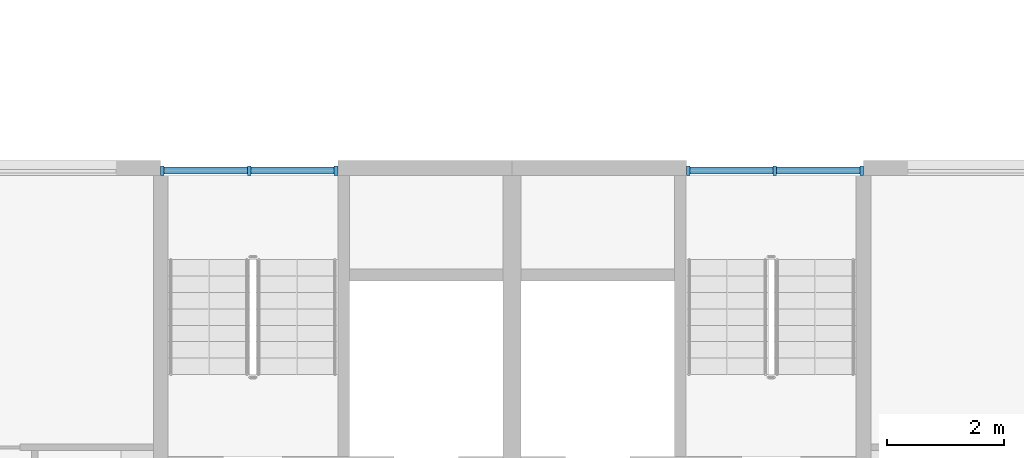
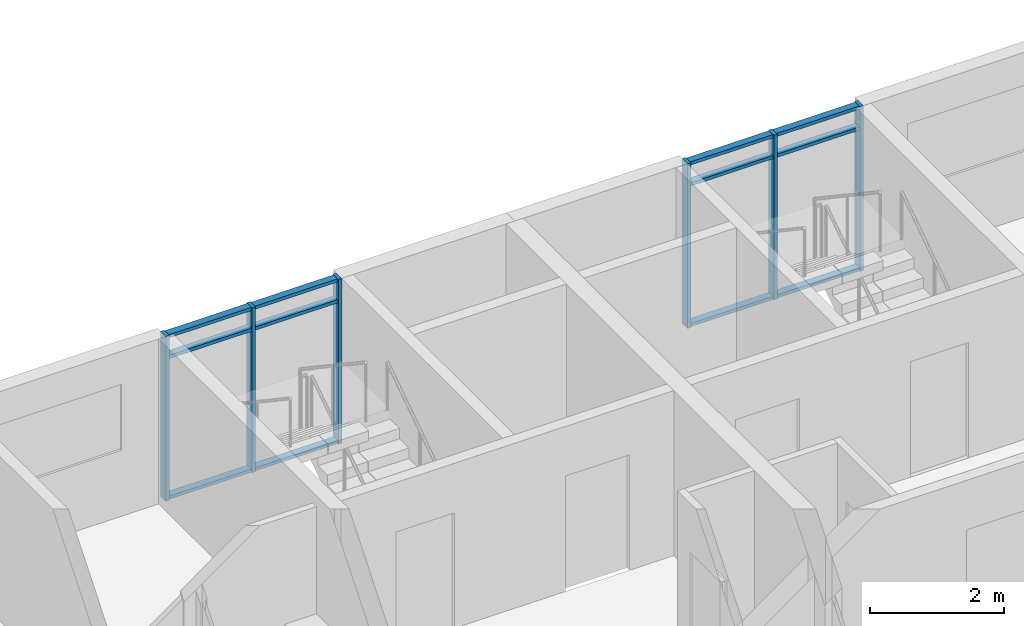
# One storey, part 14 of 94: 18 members, 2 elements without a shape of their own.
"""IFC4 building model written with IfcOpenShell, lengths in metres."""

from ifc_helpers import new_model, si_unit, direction, frame, origin, origin_2d, place, context, subcontext, project, spatial, rectangle, extrude, material, material_profile, profile_set, type_object, element, aggregate, save


model = new_model("IFC4")

# Units and contexts
model_context = context("Model", 3, precision=1e-05, world=origin(), true_north=direction((0.0, 1.0)))
body_context = subcontext(model_context, "Body", "Model", "MODEL_VIEW")
ifc_project = project(units=[si_unit("LENGTHUNIT", "METRE"), si_unit("AREAUNIT", "SQUARE_METRE"), si_unit("VOLUMEUNIT", "CUBIC_METRE"), si_unit("PLANEANGLEUNIT", "RADIAN"), si_unit("MASSUNIT", "GRAM", prefix="KILO")], contexts=[model_context])

# Site, building, storey
site_placement = place(None, origin())
site = spatial("IfcSite", under=ifc_project, at=site_placement, CompositionType="ELEMENT")
building_placement = place(site_placement, origin())
building = spatial("IfcBuilding", under=site, at=building_placement, Name="Ridgestep Commons", CompositionType="ELEMENT")
storey_placement = place(building_placement, frame((0.0, 0.0, 24.0)))
storey = spatial("IfcBuildingStorey", under=building, at=storey_placement, Name="L08", CompositionType="ELEMENT", Elevation=24.0)

# Curtain wall, members
ifc_material_1 = material(Name="Aluminium 6063-T6 and glass", Category="aluminium")
curtain_wall_type = type_object("IfcCurtainWallType", Name="Curtain wall stair strip", PredefinedType="NOTDEFINED", material=ifc_material_1)
curtain_wall_1_placement = place(storey_placement, origin())
curtain_wall_1 = element("IfcCurtainWall", 1, at=curtain_wall_1_placement, inside=storey, type_object=curtain_wall_type, Name="Curtain wall B4C level 08", PredefinedType="NOTDEFINED")
ifc_material_2 = material(Name="Aluminium 6063-T6", Category="aluminium")
ifc_material_profile_1 = material_profile(ifc_material_2, rectangle(XDim=0.159912109375, YDim=0.06005859375, at=origin_2d()), Name="Mullion 60 x 160")
ifc_profile_set_1 = profile_set([ifc_material_profile_1], Name="Aluminium 6063-T6")
member_type_1 = type_object("IfcMemberType", Name="Mullion 60 x 160", PredefinedType="MULLION", material=ifc_profile_set_1)
member_1_placement = place(storey_placement, frame((73.22998046875, 77.080078125, 0.0), z_axis=(0.0, 0.0, 1.0), x_axis=(0.0, 1.0, 0.0)))
member_1 = element("IfcMember", 2, at=member_1_placement, type_object=member_type_1, Name="CW1 mullion 1", PredefinedType="MULLION", context=body_context, shape_type="SweptSolid", body=[
    extrude(rectangle(XDim=0.159912109375, YDim=0.06005859375, at=origin_2d()), origin(), (0.0, 0.0, 1.0), 3.0),
])
member_2_placement = place(storey_placement, frame((74.71240234375, 77.080078125, 0.0), z_axis=(0.0, 0.0, 1.0), x_axis=(0.0, 1.0, 0.0)))
member_2 = element("IfcMember", 3, at=member_2_placement, type_object=member_type_1, Name="CW1 mullion 2", PredefinedType="MULLION", context=body_context, shape_type="SweptSolid", body=[
    extrude(rectangle(XDim=0.159912109375, YDim=0.06005859375, at=origin_2d()), origin(), (0.0, 0.0, 1.0), 3.0),
])
member_3_placement = place(storey_placement, frame((76.195068359375, 77.080078125, 0.0), z_axis=(0.0, 0.0, 1.0), x_axis=(0.0, 1.0, 0.0)))
member_3 = element("IfcMember", 4, at=member_3_placement, type_object=member_type_1, Name="CW1 mullion 3", PredefinedType="MULLION", context=body_context, shape_type="SweptSolid", body=[
    extrude(rectangle(XDim=0.159912109375, YDim=0.06005859375, at=origin_2d()), origin(), (0.0, 0.0, 1.0), 3.0),
])

curtain_wall_2_placement = place(storey_placement, origin())
curtain_wall_2 = element("IfcCurtainWall", 5, at=curtain_wall_2_placement, inside=storey, type_object=curtain_wall_type, Name="Curtain wall B5C level 08", PredefinedType="NOTDEFINED")
member_4_placement = place(storey_placement, frame((82.205078125, 77.080078125, 0.0), z_axis=(0.0, 0.0, 1.0), x_axis=(0.0, 1.0, 0.0)))
member_4 = element("IfcMember", 6, at=member_4_placement, type_object=member_type_1, Name="CW1 mullion 1", PredefinedType="MULLION", context=body_context, shape_type="SweptSolid", body=[
    extrude(rectangle(XDim=0.159912109375, YDim=0.06005859375, at=origin_2d()), origin(), (0.0, 0.0, 1.0), 3.0),
])
member_5_placement = place(storey_placement, frame((83.6875, 77.080078125, 0.0), z_axis=(0.0, 0.0, 1.0), x_axis=(0.0, 1.0, 0.0)))
member_5 = element("IfcMember", 7, at=member_5_placement, type_object=member_type_1, Name="CW1 mullion 2", PredefinedType="MULLION", context=body_context, shape_type="SweptSolid", body=[
    extrude(rectangle(XDim=0.159912109375, YDim=0.06005859375, at=origin_2d()), origin(), (0.0, 0.0, 1.0), 3.0),
])
member_6_placement = place(storey_placement, frame((85.169921875, 77.080078125, 0.0), z_axis=(0.0, 0.0, 1.0), x_axis=(0.0, 1.0, 0.0)))
member_6 = element("IfcMember", 8, at=member_6_placement, type_object=member_type_1, Name="CW1 mullion 3", PredefinedType="MULLION", context=body_context, shape_type="SweptSolid", body=[
    extrude(rectangle(XDim=0.159912109375, YDim=0.06005859375, at=origin_2d()), origin(), (0.0, 0.0, 1.0), 3.0),
])

# Member
ifc_material_3 = material(Name="Aluminium 6063-T6", Category="aluminium")
ifc_material_profile_2 = material_profile(ifc_material_3, rectangle(XDim=0.1201171875, YDim=0.06005859375, at=origin_2d()), Name="Transom 60 x 120")
ifc_profile_set_2 = profile_set([ifc_material_profile_2], Name="Aluminium 6063-T6")
member_type_2 = type_object("IfcMemberType", Name="Transom 60 x 120", PredefinedType="USERDEFINED", material=ifc_profile_set_2)
member_7_placement = place(storey_placement, frame((73.260009765625, 77.080078125, 0.030029296875), z_axis=(1.0, 0.0, 0.0), x_axis=(0.0, 1.0, 0.0)))
member_7 = element("IfcMember", 9, at=member_7_placement, type_object=member_type_2, Name="CW1 transom 1.1", ObjectType="TRANSOM", PredefinedType="USERDEFINED", context=body_context, shape_type="SweptSolid", body=[
    extrude(rectangle(XDim=0.1201171875, YDim=0.06005859375, at=origin_2d()), origin(), (0.0, 0.0, 1.0), 1.422607421875),
])

member_8_placement = place(storey_placement, frame((73.260009765625, 77.080078125, 2.590087890625), z_axis=(1.0, 0.0, 0.0), x_axis=(0.0, 1.0, 0.0)))
member_8 = element("IfcMember", 10, at=member_8_placement, type_object=member_type_2, Name="CW1 transom 1.2", ObjectType="TRANSOM", PredefinedType="USERDEFINED", context=body_context, shape_type="SweptSolid", body=[
    extrude(rectangle(XDim=0.1201171875, YDim=0.06005859375, at=origin_2d()), origin(), (0.0, 0.0, 1.0), 1.422607421875),
])

member_9_placement = place(storey_placement, frame((73.260009765625, 77.080078125, 2.969970703125), z_axis=(1.0, 0.0, 0.0), x_axis=(0.0, 1.0, 0.0)))
member_9 = element("IfcMember", 11, at=member_9_placement, type_object=member_type_2, Name="CW1 transom 1.3", ObjectType="TRANSOM", PredefinedType="USERDEFINED", context=body_context, shape_type="SweptSolid", body=[
    extrude(rectangle(XDim=0.1201171875, YDim=0.06005859375, at=origin_2d()), origin(), (0.0, 0.0, 1.0), 1.422607421875),
])

member_10_placement = place(storey_placement, frame((74.742431640625, 77.080078125, 0.030029296875), z_axis=(1.0, 0.0, 0.0), x_axis=(0.0, 1.0, 0.0)))
member_10 = element("IfcMember", 12, at=member_10_placement, type_object=member_type_2, Name="CW1 transom 2.1", ObjectType="TRANSOM", PredefinedType="USERDEFINED", context=body_context, shape_type="SweptSolid", body=[
    extrude(rectangle(XDim=0.1201171875, YDim=0.06005859375, at=origin_2d()), origin(), (0.0, 0.0, 1.0), 1.422607421875),
])

member_11_placement = place(storey_placement, frame((74.742431640625, 77.080078125, 2.590087890625), z_axis=(1.0, 0.0, 0.0), x_axis=(0.0, 1.0, 0.0)))
member_11 = element("IfcMember", 13, at=member_11_placement, type_object=member_type_2, Name="CW1 transom 2.2", ObjectType="TRANSOM", PredefinedType="USERDEFINED", context=body_context, shape_type="SweptSolid", body=[
    extrude(rectangle(XDim=0.1201171875, YDim=0.06005859375, at=origin_2d()), origin(), (0.0, 0.0, 1.0), 1.422607421875),
])

member_12_placement = place(storey_placement, frame((74.742431640625, 77.080078125, 2.969970703125), z_axis=(1.0, 0.0, 0.0), x_axis=(0.0, 1.0, 0.0)))
member_12 = element("IfcMember", 14, at=member_12_placement, type_object=member_type_2, Name="CW1 transom 2.3", ObjectType="TRANSOM", PredefinedType="USERDEFINED", context=body_context, shape_type="SweptSolid", body=[
    extrude(rectangle(XDim=0.1201171875, YDim=0.06005859375, at=origin_2d()), origin(), (0.0, 0.0, 1.0), 1.422607421875),
])

aggregate(curtain_wall_1, [member_1, member_2, member_3, member_7, member_8, member_9, member_10, member_11, member_12])

member_13_placement = place(storey_placement, frame((82.235107421875, 77.080078125, 0.030029296875), z_axis=(1.0, 0.0, 0.0), x_axis=(0.0, 1.0, 0.0)))
member_13 = element("IfcMember", 15, at=member_13_placement, type_object=member_type_2, Name="CW1 transom 1.1", ObjectType="TRANSOM", PredefinedType="USERDEFINED", context=body_context, shape_type="SweptSolid", body=[
    extrude(rectangle(XDim=0.1201171875, YDim=0.06005859375, at=origin_2d()), origin(), (0.0, 0.0, 1.0), 1.42236328125),
])

member_14_placement = place(storey_placement, frame((82.235107421875, 77.080078125, 2.590087890625), z_axis=(1.0, 0.0, 0.0), x_axis=(0.0, 1.0, 0.0)))
member_14 = element("IfcMember", 16, at=member_14_placement, type_object=member_type_2, Name="CW1 transom 1.2", ObjectType="TRANSOM", PredefinedType="USERDEFINED", context=body_context, shape_type="SweptSolid", body=[
    extrude(rectangle(XDim=0.1201171875, YDim=0.06005859375, at=origin_2d()), origin(), (0.0, 0.0, 1.0), 1.42236328125),
])

member_15_placement = place(storey_placement, frame((82.235107421875, 77.080078125, 2.969970703125), z_axis=(1.0, 0.0, 0.0), x_axis=(0.0, 1.0, 0.0)))
member_15 = element("IfcMember", 17, at=member_15_placement, type_object=member_type_2, Name="CW1 transom 1.3", ObjectType="TRANSOM", PredefinedType="USERDEFINED", context=body_context, shape_type="SweptSolid", body=[
    extrude(rectangle(XDim=0.1201171875, YDim=0.06005859375, at=origin_2d()), origin(), (0.0, 0.0, 1.0), 1.42236328125),
])

member_16_placement = place(storey_placement, frame((83.717529296875, 77.080078125, 0.030029296875), z_axis=(1.0, 0.0, 0.0), x_axis=(0.0, 1.0, 0.0)))
member_16 = element("IfcMember", 18, at=member_16_placement, type_object=member_type_2, Name="CW1 transom 2.1", ObjectType="TRANSOM", PredefinedType="USERDEFINED", context=body_context, shape_type="SweptSolid", body=[
    extrude(rectangle(XDim=0.1201171875, YDim=0.06005859375, at=origin_2d()), origin(), (0.0, 0.0, 1.0), 1.42236328125),
])

member_17_placement = place(storey_placement, frame((83.717529296875, 77.080078125, 2.590087890625), z_axis=(1.0, 0.0, 0.0), x_axis=(0.0, 1.0, 0.0)))
member_17 = element("IfcMember", 19, at=member_17_placement, type_object=member_type_2, Name="CW1 transom 2.2", ObjectType="TRANSOM", PredefinedType="USERDEFINED", context=body_context, shape_type="SweptSolid", body=[
    extrude(rectangle(XDim=0.1201171875, YDim=0.06005859375, at=origin_2d()), origin(), (0.0, 0.0, 1.0), 1.42236328125),
])

member_18_placement = place(storey_placement, frame((83.717529296875, 77.080078125, 2.969970703125), z_axis=(1.0, 0.0, 0.0), x_axis=(0.0, 1.0, 0.0)))
member_18 = element("IfcMember", 20, at=member_18_placement, type_object=member_type_2, Name="CW1 transom 2.3", ObjectType="TRANSOM", PredefinedType="USERDEFINED", context=body_context, shape_type="SweptSolid", body=[
    extrude(rectangle(XDim=0.1201171875, YDim=0.06005859375, at=origin_2d()), origin(), (0.0, 0.0, 1.0), 1.42236328125),
])

aggregate(curtain_wall_2, [member_4, member_5, member_6, member_13, member_14, member_15, member_16, member_17, member_18])

save(model, "model.ifc")
